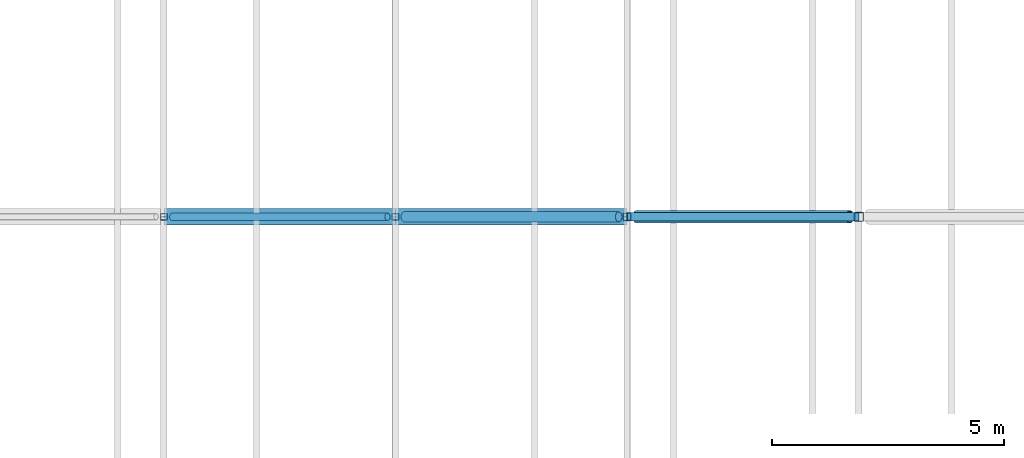
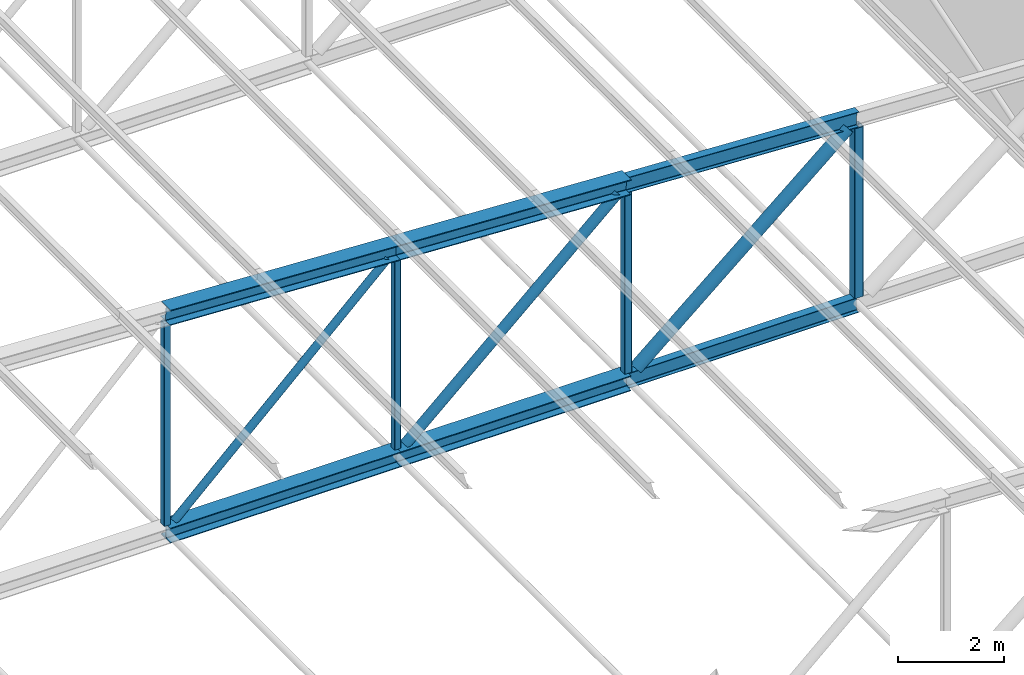
# One storey, part 44 of 156: 13 members.
"""IFC4 building model written with IfcOpenShell, lengths in metres."""

from ifc_helpers import new_model, si_unit, direction, frame, origin, origin_2d, place, context, subcontext, project, spatial, hollow_rectangle, hollow_circle, i_section, extrude, material, material_profile, profile_set, type_object, element, save


model = new_model("IFC4")

# Units and contexts
model_context = context("Model", 3, precision=1e-05, world=origin(), true_north=direction((0.0, 1.0)))
body_context = subcontext(model_context, "Body", "Model", "MODEL_VIEW")
ifc_project = project(units=[si_unit("LENGTHUNIT", "METRE"), si_unit("AREAUNIT", "SQUARE_METRE"), si_unit("VOLUMEUNIT", "CUBIC_METRE"), si_unit("PLANEANGLEUNIT", "RADIAN"), si_unit("MASSUNIT", "GRAM", prefix="KILO")], contexts=[model_context])

# Site, building, storey
site_placement = place(None, origin())
site = spatial("IfcSite", under=ifc_project, at=site_placement, CompositionType="ELEMENT")
building_placement = place(site_placement, origin())
building = spatial("IfcBuilding", under=site, at=building_placement, Name="Lilac Gate Convention Centre", CompositionType="ELEMENT")
storey_placement = place(building_placement, frame((0.0, 0.0, 17.0)))
storey = spatial("IfcBuildingStorey", under=building, at=storey_placement, Name="L03", CompositionType="ELEMENT", Elevation=17.0)

# Members
ifc_material = material(Name="Steel Q355B", Category="steel")
ifc_material_profile_1 = material_profile(ifc_material, i_section(OverallWidth=0.175048828125, OverallDepth=0.35009765625, WebThickness=0.007080078125, FlangeThickness=0.010986328125, FilletRadius=0.012939453125, at=origin_2d()), Name="HN350x175x7x11")
ifc_profile_set_1 = profile_set([ifc_material_profile_1], Name="Steel Q355B")
member_type_1 = type_object("IfcMemberType", Name="Truss bottom chord HN350x175x7x11", PredefinedType="CHORD", material=ifc_profile_set_1)
member_1_placement = place(storey_placement, frame((80.0, 66.0, 0.0), z_axis=(1.0, 0.0, 0.0), x_axis=(0.0, 1.0, 0.0)))
element("IfcMember", 1, at=member_1_placement, inside=storey, type_object=member_type_1, Name="TB1 truss 4 bottom chord 11", PredefinedType="CHORD", context=body_context, shape_type="SweptSolid", body=[
    extrude(i_section(OverallWidth=0.175048828125, OverallDepth=0.35009765625, WebThickness=0.007080078125, FlangeThickness=0.010986328125, FilletRadius=0.012939453125, at=origin_2d()), origin(), (0.0, 0.0, 1.0), 5.0),
])
ifc_material_profile_2 = material_profile(ifc_material, i_section(OverallWidth=0.35009765625, OverallDepth=0.35009765625, WebThickness=0.011962890625, FlangeThickness=0.01904296875, FilletRadius=0.012939453125, at=origin_2d()), Name="HW350x350x12x19")
ifc_profile_set_2 = profile_set([ifc_material_profile_2], Name="Steel Q355B")
member_type_2 = type_object("IfcMemberType", Name="Truss bottom chord HW350x350x12x19", PredefinedType="CHORD", material=ifc_profile_set_2)
for number, where, z_axis, x_axis, name in (
    (2, (70.0, 66.0, 0.0), (1.0, 0.0, 0.0), (0.0, 1.0, 0.0), "TB2 truss 4 bottom chord 9"),
    (3, (75.0, 66.0, 0.0), (1.0, 0.0, 0.0), (0.0, 1.0, 0.0), "TB2 truss 4 bottom chord 10"),
):
    element("IfcMember", number, at=place(storey_placement, frame(where, z_axis=z_axis, x_axis=x_axis)), inside=storey, type_object=member_type_2, Name=name, PredefinedType="CHORD", context=body_context, shape_type="SweptSolid", body=[
        extrude(i_section(OverallWidth=0.35009765625, OverallDepth=0.35009765625, WebThickness=0.011962890625, FlangeThickness=0.01904296875, FilletRadius=0.012939453125, at=origin_2d()), origin(), (0.0, 0.0, 1.0), 5.0),
    ])
ifc_material_profile_3 = material_profile(ifc_material, hollow_circle(Radius=0.084228515625, WallThickness=0.006103515625, at=origin_2d()), Name="CHS168.3x6")
ifc_profile_set_3 = profile_set([ifc_material_profile_3], Name="Steel Q355B")
member_type_3 = type_object("IfcMemberType", Name="Truss diagonal CHS168.3x6", PredefinedType="BRACE", material=ifc_profile_set_3)
member_2_placement = place(storey_placement, frame((74.8271484375, 66.0, 4.585693359375), z_axis=(-0.725020373275, 0.0, -0.688727419475), x_axis=(0.0, -1.0, 0.0)))
element("IfcMember", 4, at=member_2_placement, inside=storey, type_object=member_type_3, Name="TW4 truss 4 diagonal 9", PredefinedType="BRACE", context=body_context, shape_type="SweptSolid", body=[
    extrude(hollow_circle(Radius=0.084228515625, WallThickness=0.006103515625, at=origin_2d()), origin(), (0.0, 0.0, 1.0), 6.404052734375),
])
ifc_material_profile_4 = material_profile(ifc_material, hollow_circle(Radius=0.109619140625, WallThickness=0.008056640625, at=origin_2d()), Name="CHS219.1x8")
ifc_profile_set_4 = profile_set([ifc_material_profile_4], Name="Steel Q355B")
member_type_4 = type_object("IfcMemberType", Name="Truss diagonal CHS219.1x8", PredefinedType="BRACE", material=ifc_profile_set_4)
member_3_placement = place(storey_placement, frame((79.8173828125, 66.0, 4.335693359375), z_axis=(-0.743301953498, 0.0, -0.668956056797), x_axis=(0.0, -1.0, 0.0)))
element("IfcMember", 5, at=member_3_placement, inside=storey, type_object=member_type_4, Name="TW3 truss 4 diagonal 10", PredefinedType="BRACE", context=body_context, shape_type="SweptSolid", body=[
    extrude(hollow_circle(Radius=0.109619140625, WallThickness=0.008056640625, at=origin_2d()), origin(), (0.0, 0.0, 1.0), 6.2197265625),
])
ifc_material_profile_5 = material_profile(ifc_material, hollow_circle(Radius=0.136474609375, WallThickness=0.010009765625, at=origin_2d()), Name="CHS273x10")
ifc_profile_set_5 = profile_set([ifc_material_profile_5], Name="Steel Q355B")
member_type_5 = type_object("IfcMemberType", Name="Truss diagonal CHS273x10", PredefinedType="BRACE", material=ifc_profile_set_5)
member_4_placement = place(storey_placement, frame((84.806884765625, 66.0, 4.085693359375), z_axis=(-0.761961263863, 0.0, -0.647622600263), x_axis=(0.0, -1.0, 0.0)))
element("IfcMember", 6, at=member_4_placement, inside=storey, type_object=member_type_5, Name="TW2 truss 4 diagonal 11", PredefinedType="BRACE", context=body_context, shape_type="SweptSolid", body=[
    extrude(hollow_circle(Radius=0.136474609375, WallThickness=0.010009765625, at=origin_2d()), origin(), (0.0, 0.0, 1.0), 6.03857421875),
])
ifc_material_profile_6 = material_profile(ifc_material, i_section(OverallWidth=0.175048828125, OverallDepth=0.35009765625, WebThickness=0.007080078125, FlangeThickness=0.010986328125, FilletRadius=0.012939453125, at=origin_2d()), Name="HN350x175x7x11")
ifc_profile_set_6 = profile_set([ifc_material_profile_6], Name="Steel Q355B")
member_type_6 = type_object("IfcMemberType", Name="Truss top chord HN350x175x7x11", PredefinedType="CHORD", material=ifc_profile_set_6)
member_5_placement = place(storey_placement, frame((80.0, 66.0, 4.5), z_axis=(0.998752338878, 0.0, -0.049937616944), x_axis=(0.0, 1.0, 0.0)))
element("IfcMember", 7, at=member_5_placement, inside=storey, type_object=member_type_6, Name="TT1 truss 4 top chord 11", PredefinedType="CHORD", context=body_context, shape_type="SweptSolid", body=[
    extrude(i_section(OverallWidth=0.175048828125, OverallDepth=0.35009765625, WebThickness=0.007080078125, FlangeThickness=0.010986328125, FilletRadius=0.012939453125, at=origin_2d()), origin(), (0.0, 0.0, 1.0), 5.00634765625),
])
ifc_material_profile_7 = material_profile(ifc_material, i_section(OverallWidth=0.35009765625, OverallDepth=0.35009765625, WebThickness=0.011962890625, FlangeThickness=0.01904296875, FilletRadius=0.012939453125, at=origin_2d()), Name="HW350x350x12x19")
ifc_profile_set_7 = profile_set([ifc_material_profile_7], Name="Steel Q355B")
member_type_7 = type_object("IfcMemberType", Name="Truss top chord HW350x350x12x19", PredefinedType="CHORD", material=ifc_profile_set_7)
for number, where, z_axis, x_axis, name in (
    (8, (70.0, 66.0, 5.0), (0.998752338878, 0.0, -0.049937616944), (0.0, 1.0, 0.0), "TT2 truss 4 top chord 9"),
    (9, (75.0, 66.0, 4.75), (0.998752338878, 0.0, -0.049937616944), (0.0, 1.0, 0.0), "TT2 truss 4 top chord 10"),
):
    element("IfcMember", number, at=place(storey_placement, frame(where, z_axis=z_axis, x_axis=x_axis)), inside=storey, type_object=member_type_7, Name=name, PredefinedType="CHORD", context=body_context, shape_type="SweptSolid", body=[
        extrude(i_section(OverallWidth=0.35009765625, OverallDepth=0.35009765625, WebThickness=0.011962890625, FlangeThickness=0.01904296875, FilletRadius=0.012939453125, at=origin_2d()), origin(), (0.0, 0.0, 1.0), 5.00634765625),
    ])
ifc_material_profile_8 = material_profile(ifc_material, hollow_rectangle(XDim=0.139892578125, YDim=0.139892578125, WallThickness=0.0048828125, InnerFilletRadius=0.0048828125, OuterFilletRadius=0.010009765625, at=origin_2d()), Name="SHS140x140x5")
ifc_profile_set_8 = profile_set([ifc_material_profile_8], Name="Steel Q355B")
member_type_8 = type_object("IfcMemberType", Name="Truss vertical SHS140x140x5", PredefinedType="STRUT", material=ifc_profile_set_8)
member_6_placement = place(storey_placement, frame((70.0, 66.0, 0.175048828125), z_axis=(0.0, 0.0, 1.0), x_axis=(1.0, 0.0, 0.0)))
element("IfcMember", 10, at=member_6_placement, inside=storey, type_object=member_type_8, Name="TV4 truss 4 vertical 9", PredefinedType="STRUT", context=body_context, shape_type="SweptSolid", body=[
    extrude(hollow_rectangle(XDim=0.139892578125, YDim=0.139892578125, WallThickness=0.0048828125, InnerFilletRadius=0.0048828125, OuterFilletRadius=0.010009765625, at=origin_2d()), origin(), (0.0, 0.0, 1.0), 4.649658203125),
])
member_7_placement = place(storey_placement, frame((75.0, 66.0, 0.175048828125), z_axis=(0.0, 0.0, 1.0), x_axis=(1.0, 0.0, 0.0)))
element("IfcMember", 11, at=member_7_placement, inside=storey, type_object=member_type_8, Name="TV4 truss 4 vertical 10", PredefinedType="STRUT", context=body_context, shape_type="SweptSolid", body=[
    extrude(hollow_rectangle(XDim=0.139892578125, YDim=0.139892578125, WallThickness=0.0048828125, InnerFilletRadius=0.0048828125, OuterFilletRadius=0.010009765625, at=origin_2d()), origin(), (0.0, 0.0, 1.0), 4.399658203125),
])
ifc_material_profile_9 = material_profile(ifc_material, hollow_rectangle(XDim=0.159912109375, YDim=0.159912109375, WallThickness=0.006103515625, InnerFilletRadius=0.006103515625, OuterFilletRadius=0.011962890625, at=origin_2d()), Name="SHS160x160x6")
ifc_profile_set_9 = profile_set([ifc_material_profile_9], Name="Steel Q355B")
member_type_9 = type_object("IfcMemberType", Name="Truss vertical SHS160x160x6", PredefinedType="STRUT", material=ifc_profile_set_9)
member_8_placement = place(storey_placement, frame((80.0, 66.0, 0.175048828125), z_axis=(0.0, 0.0, 1.0), x_axis=(1.0, 0.0, 0.0)))
element("IfcMember", 12, at=member_8_placement, inside=storey, type_object=member_type_9, Name="TV3 truss 4 vertical 11", PredefinedType="STRUT", context=body_context, shape_type="SweptSolid", body=[
    extrude(hollow_rectangle(XDim=0.159912109375, YDim=0.159912109375, WallThickness=0.006103515625, InnerFilletRadius=0.006103515625, OuterFilletRadius=0.011962890625, at=origin_2d()), origin(), (0.0, 0.0, 1.0), 4.149658203125),
])
ifc_material_profile_10 = material_profile(ifc_material, hollow_rectangle(XDim=0.199951171875, YDim=0.199951171875, WallThickness=0.008056640625, InnerFilletRadius=0.011962890625, OuterFilletRadius=0.02001953125, at=origin_2d()), Name="SHS200x200x8")
ifc_profile_set_10 = profile_set([ifc_material_profile_10], Name="Steel Q355B")
member_type_10 = type_object("IfcMemberType", Name="Truss vertical SHS200x200x8", PredefinedType="STRUT", material=ifc_profile_set_10)
member_9_placement = place(storey_placement, frame((85.0, 66.0, 0.175048828125), z_axis=(0.0, 0.0, 1.0), x_axis=(1.0, 0.0, 0.0)))
element("IfcMember", 13, at=member_9_placement, inside=storey, type_object=member_type_10, Name="TV2 truss 4 vertical 12", PredefinedType="STRUT", context=body_context, shape_type="SweptSolid", body=[
    extrude(hollow_rectangle(XDim=0.199951171875, YDim=0.199951171875, WallThickness=0.008056640625, InnerFilletRadius=0.011962890625, OuterFilletRadius=0.02001953125, at=origin_2d()), origin(), (0.0, 0.0, 1.0), 3.899658203125),
])

save(model, "model.ifc")
